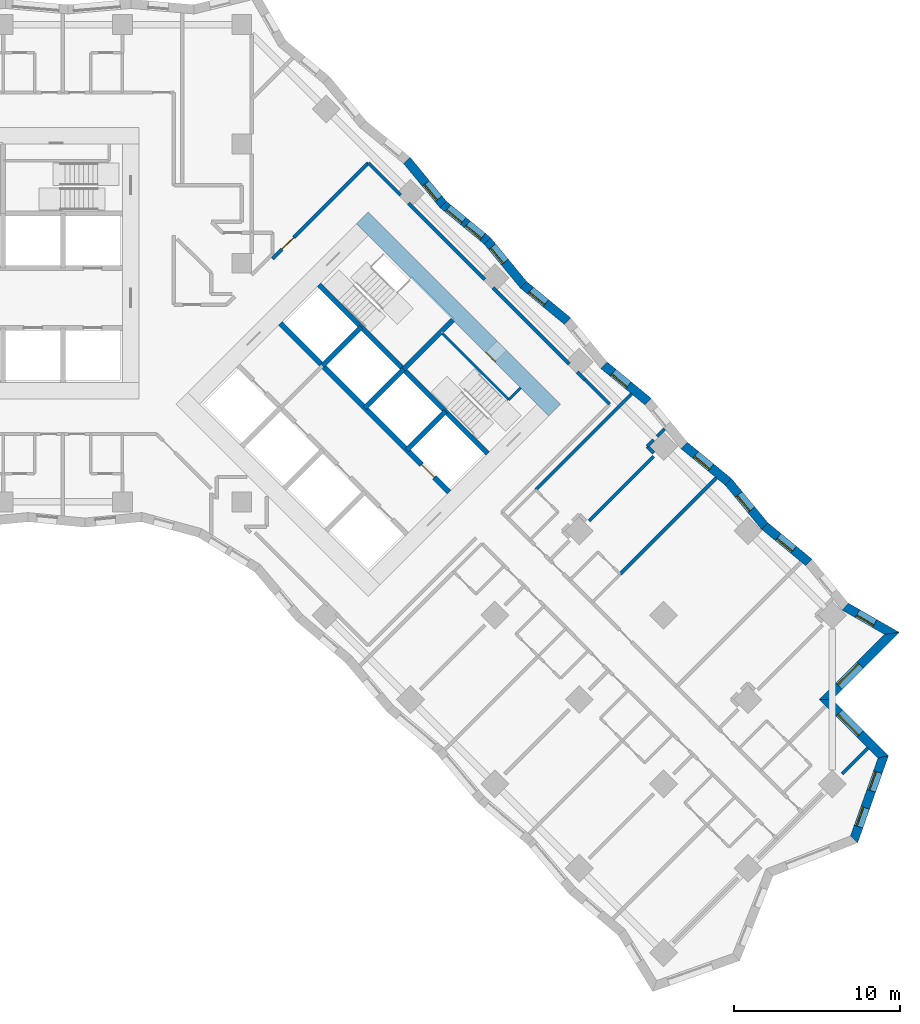
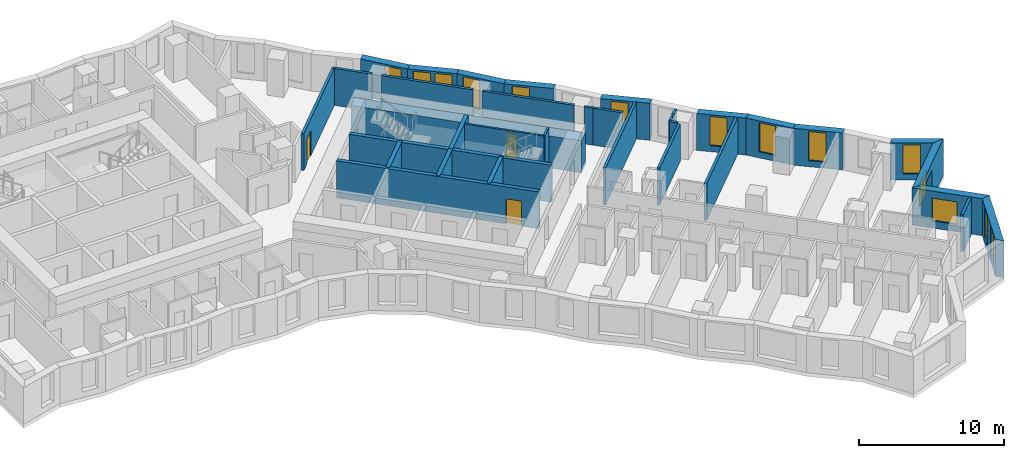
# One storey, part 10 of 13: 35 walls, 14 windows, 3 doors, 17 openings.
"""IFC4 building model written with IfcOpenShell, lengths in metres."""

from ifc_helpers import new_model, si_unit, direction, frame, frame_2d, origin, place, context, subcontext, project, spatial, polyline, rectangle, outline, extrude, material, layer, layer_set, type_object, element, fill, save


model = new_model("IFC4")

# Units and contexts
model_context = context("Model", 3, precision=1e-05, world=origin(), true_north=direction((0.0, 1.0)))
body_context = subcontext(model_context, "Body", "Model", "MODEL_VIEW")
ifc_project = project(units=[si_unit("LENGTHUNIT", "METRE"), si_unit("AREAUNIT", "SQUARE_METRE"), si_unit("VOLUMEUNIT", "CUBIC_METRE"), si_unit("PLANEANGLEUNIT", "RADIAN"), si_unit("MASSUNIT", "GRAM", prefix="KILO")], contexts=[model_context])

# Site, building, storey
site_placement = place(None, origin())
site = spatial("IfcSite", under=ifc_project, at=site_placement, CompositionType="ELEMENT")
building_placement = place(site_placement, origin())
building = spatial("IfcBuilding", under=site, at=building_placement, Name="Windrow Commons", CompositionType="ELEMENT")
storey_placement = place(building_placement, frame((0.0, 0.0, 30.4)))
storey = spatial("IfcBuildingStorey", under=building, at=storey_placement, Name="L07", CompositionType="ELEMENT", Elevation=30.4)

# Wall, openings, windows
ifc_material_1 = material(Name="Brick masonry, red clay brick", Category="masonry")
ifc_layer_1 = layer(ifc_material_1, 0.55)
ifc_layer_set_1 = layer_set([ifc_layer_1], Name="Brick facade wall 550")
wall_type_1 = type_object("IfcWallType", Name="Brick facade wall 550", PredefinedType="SOLIDWALL", material=ifc_layer_set_1)
wall_1_placement = place(storey_placement, frame((116.1535, 22.8312, 0.0), z_axis=(0.0, 0.0, 1.0), x_axis=(0.3338727536, 0.9426181541, 0.0)))
wall_1 = element("IfcWall", 1, at=wall_1_placement, inside=storey, type_object=wall_type_1, Name="Brick facade wall L07 4", PredefinedType="SOLIDWALL", context=body_context, shape_type="SweptSolid", body=[
    extrude(outline(polyline([(-0.1256, -0.275), (5.4498, -0.275), (5.1028, 0.275), (0.1256, 0.275), (-0.1256, -0.275)])), origin(), (0.0, 0.0, 1.0), 3.1),
])
opening_1_placement = place(wall_1_placement, frame((0.8193, 0.0, 0.5)))
opening_1 = element("IfcOpeningElement", 2, at=opening_1_placement, cuts=wall_1, Name="Opening W7D", PredefinedType="OPENING", context=body_context, shape_type="SweptSolid", body=[
    extrude(rectangle(XDim=1.2, YDim=2.45, at=frame_2d((0.6, 1.225))), frame((0.0, 0.285, 0.0), z_axis=(0.0, -1.0, 0.0), x_axis=(1.0, 0.0, 0.0)), (0.0, 0.0, 1.0), 0.57),
])
opening_2_placement = place(wall_1_placement, frame((3.1079, 0.0, 0.5)))
opening_2 = element("IfcOpeningElement", 3, at=opening_2_placement, cuts=wall_1, Name="Opening W7D", PredefinedType="OPENING", context=body_context, shape_type="SweptSolid", body=[
    extrude(rectangle(XDim=1.2, YDim=2.45, at=frame_2d((0.6, 1.225))), frame((0.0, 0.285, 0.0), z_axis=(0.0, -1.0, 0.0), x_axis=(1.0, 0.0, 0.0)), (0.0, 0.0, 1.0), 0.57),
])
ifc_material_2 = material(Name="Clear float glass in anodised aluminium frame", Category="aluminium")
window_type_1 = type_object("IfcWindowType", Name="Window W7 notch 1200x2450", PartitioningType="SINGLE_PANEL", PredefinedType="WINDOW", material=ifc_material_2)
window_1_placement = place(opening_1_placement, origin())
window_1 = element("IfcWindow", 4, at=window_1_placement, inside=storey, type_object=window_type_1, Name="Window L07 4.1", OverallHeight=2.45, OverallWidth=1.2, PartitioningType="SINGLE_PANEL", PredefinedType="WINDOW", context=body_context, shape_type="SweptSolid", body=[
    extrude(rectangle(XDim=1.2, YDim=2.45, at=frame_2d((0.6, 1.225))), frame((0.0, 0.155, 0.0), z_axis=(0.0, -1.0, 0.0), x_axis=(1.0, 0.0, 0.0)), (0.0, 0.0, 1.0), 0.06),
])
fill(opening_1, window_1)
window_2_placement = place(opening_2_placement, origin())
window_2 = element("IfcWindow", 5, at=window_2_placement, inside=storey, type_object=window_type_1, Name="Window L07 4.2", OverallHeight=2.45, OverallWidth=1.2, PartitioningType="SINGLE_PANEL", PredefinedType="WINDOW", context=body_context, shape_type="SweptSolid", body=[
    extrude(rectangle(XDim=1.2, YDim=2.45, at=frame_2d((0.6, 1.225))), frame((0.0, 0.155, 0.0), z_axis=(0.0, -1.0, 0.0), x_axis=(1.0, 0.0, 0.0)), (0.0, 0.0, 1.0), 0.06),
])
fill(opening_2, window_2)

# Wall, opening, window
wall_2_placement = place(storey_placement, frame((117.9151, 27.8047, 0.0), z_axis=(0.0, 0.0, 1.0), x_axis=(-0.7070965801, 0.7071169822, 0.0)))
wall_2 = element("IfcWall", 6, at=wall_2_placement, inside=storey, type_object=wall_type_1, Name="Brick facade wall L07 5", PredefinedType="SOLIDWALL", context=body_context, shape_type="SweptSolid", body=[
    extrude(outline(polyline([(-0.1735, -0.275), (4.6265, -0.275), (5.1764, 0.275), (0.1735, 0.275), (-0.1735, -0.275)])), origin(), (0.0, 0.0, 1.0), 3.1),
])
opening_3_placement = place(wall_2_placement, frame((1.964, 0.0, 0.6)))
opening_3 = element("IfcOpeningElement", 7, at=opening_3_placement, cuts=wall_2, Name="Opening W1L", PredefinedType="OPENING", context=body_context, shape_type="SweptSolid", body=[
    extrude(rectangle(XDim=1.8, YDim=1.9, at=frame_2d((0.9, 0.95))), frame((0.0, 0.285, 0.0), z_axis=(0.0, -1.0, 0.0), x_axis=(1.0, 0.0, 0.0)), (0.0, 0.0, 1.0), 0.57),
])
ifc_material_3 = material(Name="Clear float glass in anodised aluminium frame", Category="aluminium")
window_type_2 = type_object("IfcWindowType", Name="Window W1L bedroom 1800x1900", PartitioningType="SINGLE_PANEL", PredefinedType="WINDOW", material=ifc_material_3)
window_3_placement = place(opening_3_placement, origin())
window_3 = element("IfcWindow", 8, at=window_3_placement, inside=storey, type_object=window_type_2, Name="Window L07 5.1", OverallHeight=1.9, OverallWidth=1.8, PartitioningType="SINGLE_PANEL", PredefinedType="WINDOW", context=body_context, shape_type="SweptSolid", body=[
    extrude(rectangle(XDim=1.8, YDim=1.9, at=frame_2d((0.9, 0.95))), frame((0.0, 0.155, 0.0), z_axis=(0.0, -1.0, 0.0), x_axis=(1.0, 0.0, 0.0)), (0.0, 0.0, 1.0), 0.06),
])
fill(opening_3, window_3)

wall_3_placement = place(storey_placement, frame((114.4493, 31.2706, 0.0), z_axis=(0.0, 0.0, 1.0), x_axis=(0.7070979247, 0.7071156376, 0.0)))
wall_3 = element("IfcWall", 9, at=wall_3_placement, inside=storey, type_object=wall_type_1, Name="Brick facade wall L07 6", PredefinedType="SOLIDWALL", context=body_context, shape_type="SweptSolid", body=[
    extrude(outline(polyline([(0.275, -0.275), (6.005, -0.275), (5.2861, 0.275), (-0.275, 0.275), (0.275, -0.275)])), origin(), (0.0, 0.0, 1.0), 3.1),
])
opening_4_placement = place(wall_3_placement, frame((1.1375, 0.0, 0.6)))
opening_4 = element("IfcOpeningElement", 10, at=opening_4_placement, cuts=wall_3, Name="Opening W1L", PredefinedType="OPENING", context=body_context, shape_type="SweptSolid", body=[
    extrude(rectangle(XDim=1.8, YDim=1.9, at=frame_2d((0.9, 0.95))), frame((0.0, 0.285, 0.0), z_axis=(0.0, -1.0, 0.0), x_axis=(1.0, 0.0, 0.0)), (0.0, 0.0, 1.0), 0.57),
])
window_4_placement = place(opening_4_placement, origin())
window_4 = element("IfcWindow", 11, at=window_4_placement, inside=storey, type_object=window_type_2, Name="Window L07 6.1", OverallHeight=1.9, OverallWidth=1.8, PartitioningType="SINGLE_PANEL", PredefinedType="WINDOW", context=body_context, shape_type="SweptSolid", body=[
    extrude(rectangle(XDim=1.8, YDim=1.9, at=frame_2d((0.9, 0.95))), frame((0.0, 0.155, 0.0), z_axis=(0.0, -1.0, 0.0), x_axis=(1.0, 0.0, 0.0)), (0.0, 0.0, 1.0), 0.06),
])
fill(opening_4, window_4)

wall_4_placement = place(storey_placement, frame((118.4413, 35.2627, 0.0), z_axis=(0.0, 0.0, 1.0), x_axis=(-0.8675063131, 0.4974261721, 0.0)))
wall_4 = element("IfcWall", 12, at=wall_4_placement, inside=storey, type_object=wall_type_1, Name="Brick facade wall L07 7", PredefinedType="SOLIDWALL", context=body_context, shape_type="SweptSolid", body=[
    extrude(outline(polyline([(-0.3595, -0.275), (3.1945, -0.275), (3.2948, 0.275), (0.3595, 0.275), (-0.3595, -0.275)])), origin(), (0.0, 0.0, 1.0), 3.1),
])
opening_5_placement = place(wall_4_placement, frame((1.2021, 0.0, 0.5)))
opening_5 = element("IfcOpeningElement", 13, at=opening_5_placement, cuts=wall_4, Name="Opening W7D", PredefinedType="OPENING", context=body_context, shape_type="SweptSolid", body=[
    extrude(rectangle(XDim=1.2, YDim=2.45, at=frame_2d((0.6, 1.225))), frame((0.0, 0.285, 0.0), z_axis=(0.0, -1.0, 0.0), x_axis=(1.0, 0.0, 0.0)), (0.0, 0.0, 1.0), 0.57),
])
window_5_placement = place(opening_5_placement, origin())
window_5 = element("IfcWindow", 14, at=window_5_placement, inside=storey, type_object=window_type_1, Name="Window L07 7.1", OverallHeight=2.45, OverallWidth=1.2, PartitioningType="SINGLE_PANEL", PredefinedType="WINDOW", context=body_context, shape_type="SweptSolid", body=[
    extrude(rectangle(XDim=1.2, YDim=2.45, at=frame_2d((0.6, 1.225))), frame((0.0, 0.155, 0.0), z_axis=(0.0, -1.0, 0.0), x_axis=(1.0, 0.0, 0.0)), (0.0, 0.0, 1.0), 0.06),
])
fill(opening_5, window_5)

wall_5_placement = place(storey_placement, frame((113.4193, 39.5538, 0.0), z_axis=(0.0, 0.0, 1.0), x_axis=(-0.7715741005, 0.636139456, 0.0)))
wall_5 = element("IfcWall", 15, at=wall_5_placement, inside=storey, type_object=wall_type_1, Name="Brick facade wall L07 9", PredefinedType="SOLIDWALL", context=body_context, shape_type="SweptSolid", body=[
    extrude(outline(polyline([(-0.0265, -0.275), (3.4195, -0.275), (3.4724, 0.275), (0.0265, 0.275), (-0.0265, -0.275)])), origin(), (0.0, 0.0, 1.0), 3.1),
])
opening_6_placement = place(wall_5_placement, frame((1.1936, 0.0, 0.5)))
opening_6 = element("IfcOpeningElement", 16, at=opening_6_placement, cuts=wall_5, Name="Opening W7D", PredefinedType="OPENING", context=body_context, shape_type="SweptSolid", body=[
    extrude(rectangle(XDim=1.2, YDim=2.45, at=frame_2d((0.6, 1.225))), frame((0.0, 0.285, 0.0), z_axis=(0.0, -1.0, 0.0), x_axis=(1.0, 0.0, 0.0)), (0.0, 0.0, 1.0), 0.57),
])
window_6_placement = place(opening_6_placement, origin())
window_6 = element("IfcWindow", 17, at=window_6_placement, inside=storey, type_object=window_type_1, Name="Window L07 9.1", OverallHeight=2.45, OverallWidth=1.2, PartitioningType="SINGLE_PANEL", PredefinedType="WINDOW", context=body_context, shape_type="SweptSolid", body=[
    extrude(rectangle(XDim=1.2, YDim=2.45, at=frame_2d((0.6, 1.225))), frame((0.0, 0.155, 0.0), z_axis=(0.0, -1.0, 0.0), x_axis=(1.0, 0.0, 0.0)), (0.0, 0.0, 1.0), 0.06),
])
fill(opening_6, window_6)

wall_6_placement = place(storey_placement, frame((110.7605, 41.7459, 0.0), z_axis=(0.0, 0.0, 1.0), x_axis=(-0.636139456, 0.7715741005, 0.0)))
wall_6 = element("IfcWall", 18, at=wall_6_placement, inside=storey, type_object=wall_type_1, Name="Brick facade wall L07 10", PredefinedType="SOLIDWALL", context=body_context, shape_type="SweptSolid", body=[
    extrude(outline(polyline([(0.0265, -0.275), (3.4724, -0.275), (3.4195, 0.275), (-0.0265, 0.275), (0.0265, -0.275)])), origin(), (0.0, 0.0, 1.0), 3.1),
])
opening_7_placement = place(wall_6_placement, frame((1.2657, 0.0, 0.5)))
opening_7 = element("IfcOpeningElement", 19, at=opening_7_placement, cuts=wall_6, Name="Opening W7D", PredefinedType="OPENING", context=body_context, shape_type="SweptSolid", body=[
    extrude(rectangle(XDim=1.2, YDim=2.45, at=frame_2d((0.6, 1.225))), frame((0.0, 0.285, 0.0), z_axis=(0.0, -1.0, 0.0), x_axis=(1.0, 0.0, 0.0)), (0.0, 0.0, 1.0), 0.57),
])
window_7_placement = place(opening_7_placement, origin())
window_7 = element("IfcWindow", 20, at=window_7_placement, inside=storey, type_object=window_type_1, Name="Window L07 10.1", OverallHeight=2.45, OverallWidth=1.2, PartitioningType="SINGLE_PANEL", PredefinedType="WINDOW", context=body_context, shape_type="SweptSolid", body=[
    extrude(rectangle(XDim=1.2, YDim=2.45, at=frame_2d((0.6, 1.225))), frame((0.0, 0.155, 0.0), z_axis=(0.0, -1.0, 0.0), x_axis=(1.0, 0.0, 0.0)), (0.0, 0.0, 1.0), 0.06),
])
fill(opening_7, window_7)

wall_7_placement = place(storey_placement, frame((108.5684, 44.4047, 0.0), z_axis=(0.0, 0.0, 1.0), x_axis=(-0.7715741005, 0.636139456, 0.0)))
wall_7 = element("IfcWall", 21, at=wall_7_placement, inside=storey, type_object=wall_type_1, Name="Brick facade wall L07 11", PredefinedType="SOLIDWALL", context=body_context, shape_type="SweptSolid", body=[
    extrude(outline(polyline([(-0.0265, -0.275), (3.4195, -0.275), (3.4724, 0.275), (0.0265, 0.275), (-0.0265, -0.275)])), origin(), (0.0, 0.0, 1.0), 3.1),
])
opening_8_placement = place(wall_7_placement, frame((1.3643, 0.0, 0.5)))
opening_8 = element("IfcOpeningElement", 22, at=opening_8_placement, cuts=wall_7, Name="Opening W7D", PredefinedType="OPENING", context=body_context, shape_type="SweptSolid", body=[
    extrude(rectangle(XDim=1.2, YDim=2.45, at=frame_2d((0.6, 1.225))), frame((0.0, 0.285, 0.0), z_axis=(0.0, -1.0, 0.0), x_axis=(1.0, 0.0, 0.0)), (0.0, 0.0, 1.0), 0.57),
])
window_8_placement = place(opening_8_placement, origin())
window_8 = element("IfcWindow", 23, at=window_8_placement, inside=storey, type_object=window_type_1, Name="Window L07 11.1", OverallHeight=2.45, OverallWidth=1.2, PartitioningType="SINGLE_PANEL", PredefinedType="WINDOW", context=body_context, shape_type="SweptSolid", body=[
    extrude(rectangle(XDim=1.2, YDim=2.45, at=frame_2d((0.6, 1.225))), frame((0.0, 0.155, 0.0), z_axis=(0.0, -1.0, 0.0), x_axis=(1.0, 0.0, 0.0)), (0.0, 0.0, 1.0), 0.06),
])
fill(opening_8, window_8)

wall_8_placement = place(storey_placement, frame((103.7174, 49.2556, 0.0), z_axis=(0.0, 0.0, 1.0), x_axis=(-0.7715598569, 0.6361567317, 0.0)))
wall_8 = element("IfcWall", 24, at=wall_8_placement, inside=storey, type_object=wall_type_1, Name="Brick facade wall L07 13", PredefinedType="SOLIDWALL", context=body_context, shape_type="SweptSolid", body=[
    extrude(outline(polyline([(-0.0265, -0.275), (3.4195, -0.275), (3.4724, 0.275), (0.0265, 0.275), (-0.0265, -0.275)])), origin(), (0.0, 0.0, 1.0), 3.1),
])
opening_9_placement = place(wall_8_placement, frame((1.5349, 0.0, 0.5)))
opening_9 = element("IfcOpeningElement", 25, at=opening_9_placement, cuts=wall_8, Name="Opening W7D", PredefinedType="OPENING", context=body_context, shape_type="SweptSolid", body=[
    extrude(rectangle(XDim=1.2, YDim=2.45, at=frame_2d((0.6, 1.225))), frame((0.0, 0.285, 0.0), z_axis=(0.0, -1.0, 0.0), x_axis=(1.0, 0.0, 0.0)), (0.0, 0.0, 1.0), 0.57),
])
window_9_placement = place(opening_9_placement, origin())
window_9 = element("IfcWindow", 26, at=window_9_placement, inside=storey, type_object=window_type_1, Name="Window L07 13.1", OverallHeight=2.45, OverallWidth=1.2, PartitioningType="SINGLE_PANEL", PredefinedType="WINDOW", context=body_context, shape_type="SweptSolid", body=[
    extrude(rectangle(XDim=1.2, YDim=2.45, at=frame_2d((0.6, 1.225))), frame((0.0, 0.155, 0.0), z_axis=(0.0, -1.0, 0.0), x_axis=(1.0, 0.0, 0.0)), (0.0, 0.0, 1.0), 0.06),
])
fill(opening_9, window_9)

wall_9_placement = place(storey_placement, frame((98.8665, 54.1066, 0.0), z_axis=(0.0, 0.0, 1.0), x_axis=(-0.7715741005, 0.636139456, 0.0)))
wall_9 = element("IfcWall", 27, at=wall_9_placement, inside=storey, type_object=wall_type_1, Name="Brick facade wall L07 15", PredefinedType="SOLIDWALL", context=body_context, shape_type="SweptSolid", body=[
    extrude(outline(polyline([(-0.0265, -0.275), (3.4195, -0.275), (3.4724, 0.275), (0.0265, 0.275), (-0.0265, -0.275)])), origin(), (0.0, 0.0, 1.0), 3.1),
])
opening_10_placement = place(wall_9_placement, frame((1.7056, 0.0, 0.5)))
opening_10 = element("IfcOpeningElement", 28, at=opening_10_placement, cuts=wall_9, Name="Opening W7D", PredefinedType="OPENING", context=body_context, shape_type="SweptSolid", body=[
    extrude(rectangle(XDim=1.2, YDim=2.45, at=frame_2d((0.6, 1.225))), frame((0.0, 0.285, 0.0), z_axis=(0.0, -1.0, 0.0), x_axis=(1.0, 0.0, 0.0)), (0.0, 0.0, 1.0), 0.57),
])
window_10_placement = place(opening_10_placement, origin())
window_10 = element("IfcWindow", 29, at=window_10_placement, inside=storey, type_object=window_type_1, Name="Window L07 15.1", OverallHeight=2.45, OverallWidth=1.2, PartitioningType="SINGLE_PANEL", PredefinedType="WINDOW", context=body_context, shape_type="SweptSolid", body=[
    extrude(rectangle(XDim=1.2, YDim=2.45, at=frame_2d((0.6, 1.225))), frame((0.0, 0.155, 0.0), z_axis=(0.0, -1.0, 0.0), x_axis=(1.0, 0.0, 0.0)), (0.0, 0.0, 1.0), 0.06),
])
fill(opening_10, window_10)

wall_10_placement = place(storey_placement, frame((96.2077, 56.2987, 0.0), z_axis=(0.0, 0.0, 1.0), x_axis=(-0.6361567317, 0.7715598569, 0.0)))
wall_10 = element("IfcWall", 30, at=wall_10_placement, inside=storey, type_object=wall_type_1, Name="Brick facade wall L07 16", PredefinedType="SOLIDWALL", context=body_context, shape_type="SweptSolid", body=[
    extrude(outline(polyline([(0.0265, -0.275), (3.4724, -0.275), (3.4195, 0.275), (-0.0265, 0.275), (0.0265, -0.275)])), origin(), (0.0, 0.0, 1.0), 3.1),
])
opening_11_placement = place(wall_10_placement, frame((1.7776, 0.0, 0.5)))
opening_11 = element("IfcOpeningElement", 31, at=opening_11_placement, cuts=wall_10, Name="Opening W7D", PredefinedType="OPENING", context=body_context, shape_type="SweptSolid", body=[
    extrude(rectangle(XDim=1.2, YDim=2.45, at=frame_2d((0.6, 1.225))), frame((0.0, 0.285, 0.0), z_axis=(0.0, -1.0, 0.0), x_axis=(1.0, 0.0, 0.0)), (0.0, 0.0, 1.0), 0.57),
])
window_11_placement = place(opening_11_placement, origin())
window_11 = element("IfcWindow", 32, at=window_11_placement, inside=storey, type_object=window_type_1, Name="Window L07 16.1", OverallHeight=2.45, OverallWidth=1.2, PartitioningType="SINGLE_PANEL", PredefinedType="WINDOW", context=body_context, shape_type="SweptSolid", body=[
    extrude(rectangle(XDim=1.2, YDim=2.45, at=frame_2d((0.6, 1.225))), frame((0.0, 0.155, 0.0), z_axis=(0.0, -1.0, 0.0), x_axis=(1.0, 0.0, 0.0)), (0.0, 0.0, 1.0), 0.06),
])
fill(opening_11, window_11)

# Wall, openings, windows
wall_11_placement = place(storey_placement, frame((94.0155, 58.9575, 0.0), z_axis=(0.0, 0.0, 1.0), x_axis=(-0.7715598569, 0.6361567317, 0.0)))
wall_11 = element("IfcWall", 33, at=wall_11_placement, inside=storey, type_object=wall_type_1, Name="Brick facade wall L07 17", PredefinedType="SOLIDWALL", context=body_context, shape_type="SweptSolid", body=[
    extrude(outline(polyline([(-0.0265, -0.275), (3.4195, -0.275), (3.4724, 0.275), (0.0265, 0.275), (-0.0265, -0.275)])), origin(), (0.0, 0.0, 1.0), 3.1),
])
opening_12_placement = place(wall_11_placement, frame((0.3664, 0.0, 0.5)))
opening_12 = element("IfcOpeningElement", 34, at=opening_12_placement, cuts=wall_11, Name="Opening W7D", PredefinedType="OPENING", context=body_context, shape_type="SweptSolid", body=[
    extrude(rectangle(XDim=1.2, YDim=2.45, at=frame_2d((0.6, 1.225))), frame((0.0, 0.285, 0.0), z_axis=(0.0, -1.0, 0.0), x_axis=(1.0, 0.0, 0.0)), (0.0, 0.0, 1.0), 0.57),
])
opening_13_placement = place(wall_11_placement, frame((1.8762, 0.0, 0.5)))
opening_13 = element("IfcOpeningElement", 35, at=opening_13_placement, cuts=wall_11, Name="Opening W7D", PredefinedType="OPENING", context=body_context, shape_type="SweptSolid", body=[
    extrude(rectangle(XDim=1.2, YDim=2.45, at=frame_2d((0.6, 1.225))), frame((0.0, 0.285, 0.0), z_axis=(0.0, -1.0, 0.0), x_axis=(1.0, 0.0, 0.0)), (0.0, 0.0, 1.0), 0.57),
])
window_12_placement = place(opening_12_placement, origin())
window_12 = element("IfcWindow", 36, at=window_12_placement, inside=storey, type_object=window_type_1, Name="Window L07 17.1", OverallHeight=2.45, OverallWidth=1.2, PartitioningType="SINGLE_PANEL", PredefinedType="WINDOW", context=body_context, shape_type="SweptSolid", body=[
    extrude(rectangle(XDim=1.2, YDim=2.45, at=frame_2d((0.6, 1.225))), frame((0.0, 0.155, 0.0), z_axis=(0.0, -1.0, 0.0), x_axis=(1.0, 0.0, 0.0)), (0.0, 0.0, 1.0), 0.06),
])
fill(opening_12, window_12)
window_13_placement = place(opening_13_placement, origin())
window_13 = element("IfcWindow", 37, at=window_13_placement, inside=storey, type_object=window_type_1, Name="Window L07 17.2", OverallHeight=2.45, OverallWidth=1.2, PartitioningType="SINGLE_PANEL", PredefinedType="WINDOW", context=body_context, shape_type="SweptSolid", body=[
    extrude(rectangle(XDim=1.2, YDim=2.45, at=frame_2d((0.6, 1.225))), frame((0.0, 0.155, 0.0), z_axis=(0.0, -1.0, 0.0), x_axis=(1.0, 0.0, 0.0)), (0.0, 0.0, 1.0), 0.06),
])
fill(opening_13, window_13)

# Wall, opening, window
wall_12_placement = place(storey_placement, frame((91.3567, 61.1497, 0.0), z_axis=(0.0, 0.0, 1.0), x_axis=(-0.636139456, 0.7715741005, 0.0)))
wall_12 = element("IfcWall", 38, at=wall_12_placement, inside=storey, type_object=wall_type_1, Name="Brick facade wall L07 18", PredefinedType="SOLIDWALL", context=body_context, shape_type="SweptSolid", body=[
    extrude(outline(polyline([(0.0265, -0.275), (3.4724, -0.275), (3.4195, 0.275), (-0.0265, 0.275), (0.0265, -0.275)])), origin(), (0.0, 0.0, 1.0), 3.1),
])
opening_14_placement = place(wall_12_placement, frame((0.4385, 0.0, 0.5)))
opening_14 = element("IfcOpeningElement", 39, at=opening_14_placement, cuts=wall_12, Name="Opening W7D", PredefinedType="OPENING", context=body_context, shape_type="SweptSolid", body=[
    extrude(rectangle(XDim=1.2, YDim=2.45, at=frame_2d((0.6, 1.225))), frame((0.0, 0.285, 0.0), z_axis=(0.0, -1.0, 0.0), x_axis=(1.0, 0.0, 0.0)), (0.0, 0.0, 1.0), 0.57),
])
window_14_placement = place(opening_14_placement, origin())
window_14 = element("IfcWindow", 40, at=window_14_placement, inside=storey, type_object=window_type_1, Name="Window L07 18.1", OverallHeight=2.45, OverallWidth=1.2, PartitioningType="SINGLE_PANEL", PredefinedType="WINDOW", context=body_context, shape_type="SweptSolid", body=[
    extrude(rectangle(XDim=1.2, YDim=2.45, at=frame_2d((0.6, 1.225))), frame((0.0, 0.155, 0.0), z_axis=(0.0, -1.0, 0.0), x_axis=(1.0, 0.0, 0.0)), (0.0, 0.0, 1.0), 0.06),
])
fill(opening_14, window_14)

# Wall, opening, door
ifc_material_4 = material(Name="Blockwork partition", Category="masonry")
ifc_layer_2 = layer(ifc_material_4, 0.2)
ifc_layer_set_2 = layer_set([ifc_layer_2], Name="IW-CORRIDOR-200")
wall_type_2 = type_object("IfcWallType", Name="IW-CORRIDOR-200", PredefinedType="PARTITIONING", material=ifc_layer_set_2)
wall_13_placement = place(storey_placement, frame((81.0515, 57.8725, 0.0), z_axis=(0.0, 0.0, 1.0), x_axis=(0.7071067812, 0.7071067812, 0.0)))
wall_13 = element("IfcWall", 41, at=wall_13_placement, inside=storey, type_object=wall_type_2, Name="W-L07-W012", PredefinedType="PARTITIONING", context=body_context, shape_type="SweptSolid", body=[
    extrude(rectangle(XDim=8.1798, YDim=0.2, at=frame_2d((4.0899, 0.0))), origin(), (0.0, 0.0, 1.0), 3.1),
])
opening_15_placement = place(wall_13_placement, frame((0.8234, 0.0, 0.0)))
opening_15 = element("IfcOpeningElement", 42, at=opening_15_placement, cuts=wall_13, Name="Opening D310F", PredefinedType="OPENING", context=body_context, shape_type="SweptSolid", body=[
    extrude(rectangle(XDim=1.0, YDim=2.1, at=frame_2d((0.5, 1.05))), frame((0.0, 0.11, 0.0), z_axis=(0.0, -1.0, 0.0), x_axis=(1.0, 0.0, 0.0)), (0.0, 0.0, 1.0), 0.22),
])
ifc_material_5 = material(Name="Timber door leaf", Category="wood")
door_type_1 = type_object("IfcDoorType", Name="DT-AMENITY-1000", OperationType="SINGLE_SWING_LEFT", PredefinedType="DOOR", material=ifc_material_5)
door_1_placement = place(opening_15_placement, origin())
door_1 = element("IfcDoor", 43, at=door_1_placement, inside=storey, type_object=door_type_1, Name="D-L07-D049", OperationType="SINGLE_SWING_RIGHT", OverallHeight=2.1, OverallWidth=1.0, PredefinedType="DOOR", context=body_context, shape_type="SweptSolid", body=[
    extrude(rectangle(XDim=1.0, YDim=2.1, at=frame_2d((0.5, 1.05))), frame((0.0, 0.025, 0.0), z_axis=(0.0, -1.0, 0.0), x_axis=(1.0, 0.0, 0.0)), (0.0, 0.0, 1.0), 0.05),
])
fill(opening_15, door_1)

# Walls
wall_14_placement = place(storey_placement, frame((89.2712, 61.2152, 0.0), z_axis=(0.0, 0.0, 1.0), x_axis=(0.7071067812, -0.7071067812, 0.0)))
element("IfcWall", 44, at=wall_14_placement, inside=storey, type_object=wall_type_2, Name="W-L07-W025", PredefinedType="PARTITIONING", context=body_context, shape_type="SweptSolid", body=[
    extrude(rectangle(XDim=6.5054, YDim=0.2, at=frame_2d((3.2527, 0.0))), origin(), (0.0, 0.0, 1.0), 3.1),
])
wall_15_placement = place(storey_placement, frame((94.3632, 56.1232, 0.0), z_axis=(0.0, 0.0, 1.0), x_axis=(0.7071067812, -0.7071067812, 0.0)))
element("IfcWall", 45, at=wall_15_placement, inside=storey, type_object=wall_type_2, Name="W-L07-W026", PredefinedType="PARTITIONING", context=body_context, shape_type="SweptSolid", body=[
    extrude(rectangle(XDim=6.5026, YDim=0.2, at=frame_2d((3.2513, 0.0))), origin(), (0.0, 0.0, 1.0), 3.1),
])
wall_16_placement = place(storey_placement, frame((86.8413, 63.6593, 0.0), z_axis=(0.0, 0.0, 1.0), x_axis=(0.7067795096, -0.7074339014, 0.0)))
element("IfcWall", 46, at=wall_16_placement, inside=storey, type_object=wall_type_2, Name="W-L07-W072", PredefinedType="PARTITIONING", context=body_context, shape_type="SweptSolid", body=[
    extrude(rectangle(XDim=2.7506, YDim=0.2, at=frame_2d((1.3753, 0.0))), origin(), (0.0, 0.0, 1.0), 3.1),
])
wall_17_placement = place(storey_placement, frame((99.9177, 50.5737, 0.0), z_axis=(0.0, 0.0, 1.0), x_axis=(0.7075827869, -0.7066304548, 0.0)))
element("IfcWall", 47, at=wall_17_placement, inside=storey, type_object=wall_type_2, Name="W-L07-W132", PredefinedType="PARTITIONING", context=body_context, shape_type="SweptSolid", body=[
    extrude(rectangle(XDim=2.1001, YDim=0.2, at=frame_2d((1.05, 0.0))), origin(), (0.0, 0.0, 1.0), 3.1),
])
wall_18_placement = place(storey_placement, frame((99.4532, 51.0332, 0.0), z_axis=(0.0, 0.0, 1.0), x_axis=(0.7071067812, -0.7071067812, 0.0)))
element("IfcWall", 48, at=wall_18_placement, inside=storey, type_object=wall_type_2, Name="W-L07-W194", PredefinedType="PARTITIONING", context=body_context, shape_type="SweptSolid", body=[
    extrude(rectangle(XDim=0.6534, YDim=0.2, at=frame_2d((0.3267, 0.0))), origin(), (0.0, 0.0, 1.0), 3.1),
])
ifc_material_6 = material(Name="Blockwork partition", Category="masonry")
ifc_layer_3 = layer(ifc_material_6, 0.2)
ifc_layer_set_3 = layer_set([ifc_layer_3], Name="IW-PARTY-200")
wall_type_3 = type_object("IfcWallType", Name="IW-PARTY-200", PredefinedType="PARTITIONING", material=ifc_layer_set_3)
wall_19_placement = place(storey_placement, frame((102.0386, 38.8374, 0.0), z_axis=(0.0, 0.0, 1.0), x_axis=(0.7071067812, 0.7071067812, 0.0)))
element("IfcWall", 49, at=wall_19_placement, inside=storey, type_object=wall_type_3, Name="W-L07-W013", PredefinedType="PARTITIONING", context=body_context, shape_type="SweptSolid", body=[
    extrude(rectangle(XDim=8.2122, YDim=0.2, at=frame_2d((4.1061, 0.0))), origin(), (0.0, 0.0, 1.0), 3.1),
])
wall_20_placement = place(storey_placement, frame((96.9474, 43.9286, 0.0), z_axis=(0.0, 0.0, 1.0), x_axis=(0.707112894, 0.7071006683, 0.0)))
element("IfcWall", 50, at=wall_20_placement, inside=storey, type_object=wall_type_3, Name="W-L07-W014", PredefinedType="PARTITIONING", context=body_context, shape_type="SweptSolid", body=[
    extrude(rectangle(XDim=8.1795, YDim=0.2, at=frame_2d((4.0898, 0.0))), origin(), (0.0, 0.0, 1.0), 3.1),
])
wall_21_placement = place(storey_placement, frame((100.1611, 42.0569, 0.0), z_axis=(0.0, 0.0, 1.0), x_axis=(0.7072884866, 0.706925029, 0.0)))
element("IfcWall", 51, at=wall_21_placement, inside=storey, type_object=wall_type_3, Name="W-L07-W045", PredefinedType="PARTITIONING", context=body_context, shape_type="SweptSolid", body=[
    extrude(rectangle(XDim=5.5027, YDim=0.2, at=frame_2d((2.7513, 0.0))), origin(), (0.0, 0.0, 1.0), 3.1),
])
wall_22_placement = place(storey_placement, frame((115.4375, 26.7805, 0.0), z_axis=(0.0, 0.0, 1.0), x_axis=(0.7071067812, 0.7071067812, 0.0)))
element("IfcWall", 52, at=wall_22_placement, inside=storey, type_object=wall_type_3, Name="W-L07-W131", PredefinedType="PARTITIONING", context=body_context, shape_type="SweptSolid", body=[
    extrude(rectangle(XDim=2.2012, YDim=0.2, at=frame_2d((1.1006, 0.0))), origin(), (0.0, 0.0, 1.0), 3.1),
])
wall_23_placement = place(storey_placement, frame((104.265, 47.145, 0.0), z_axis=(0.0, 0.0, 1.0), x_axis=(0.7071839131, 0.7070296409, 0.0)))
element("IfcWall", 53, at=wall_23_placement, inside=storey, type_object=wall_type_3, Name="W-L07-W195", PredefinedType="PARTITIONING", context=body_context, shape_type="SweptSolid", body=[
    extrude(rectangle(XDim=0.6482, YDim=0.2, at=frame_2d((0.3241, 0.0))), origin(), (0.0, 0.0, 1.0), 3.1),
])
wall_24_placement = place(storey_placement, frame((103.661, 46.541, 0.0), z_axis=(0.0, 0.0, 1.0), x_axis=(0.7071067812, 0.7071067812, 0.0)))
element("IfcWall", 54, at=wall_24_placement, inside=storey, type_object=wall_type_3, Name="W-L07-W201", PredefinedType="PARTITIONING", context=body_context, shape_type="SweptSolid", body=[
    extrude(rectangle(XDim=0.5572, YDim=0.2, at=frame_2d((0.2786, 0.0))), origin(), (0.0, 0.0, 1.0), 3.1),
])
wall_25_placement = place(storey_placement, frame((103.665, 46.543, 0.0), z_axis=(0.0, 0.0, 1.0), x_axis=(0.7089037401, -0.705305244, 0.0)))
element("IfcWall", 55, at=wall_25_placement, inside=storey, type_object=wall_type_3, Name="W-L07-W204", PredefinedType="PARTITIONING", context=body_context, shape_type="SweptSolid", body=[
    extrude(rectangle(XDim=0.5558, YDim=0.2, at=frame_2d((0.2779, 0.0))), origin(), (0.0, 0.0, 1.0), 3.1),
])

# Wall, opening, door
ifc_material_7 = material(Name="Concrete C60/75", Category="concrete")
ifc_layer_4 = layer(ifc_material_7, 1.0)
ifc_layer_set_4 = layer_set([ifc_layer_4], Name="RC CORE WALL 1000 C60/75")
wall_type_4 = type_object("IfcWallType", Name="RC CORE WALL 1000 C60/75", PredefinedType="SHEAR", material=ifc_layer_set_4)
wall_26_placement = place(storey_placement, frame((86.4832, 60.3327, -0.3), z_axis=(0.0, 0.0, 1.0), x_axis=(0.70710983, -0.7071037324, 0.0)))
wall_26 = element("IfcWall", 56, at=wall_26_placement, inside=storey, type_object=wall_type_4, Name="Core B wall outer-N", PredefinedType="SHEAR", context=body_context, shape_type="SweptSolid", body=[
    extrude(rectangle(XDim=16.4, YDim=1.0, at=frame_2d((8.2, 0.0))), origin(), (0.0, 0.0, 1.0), 2.7),
])
opening_16_placement = place(wall_26_placement, frame((11.0, 0.0, 0.3)))
opening_16 = element("IfcOpeningElement", 57, at=opening_16_placement, cuts=wall_26, Name="Opening D9", PredefinedType="OPENING", context=body_context, shape_type="SweptSolid", body=[
    extrude(rectangle(XDim=0.8, YDim=2.1, at=frame_2d((0.4, 1.05))), frame((0.0, 0.51, 0.0), z_axis=(0.0, -1.0, 0.0), x_axis=(1.0, 0.0, 0.0)), (0.0, 0.0, 1.0), 1.02),
])
ifc_material_8 = material(Name="Steel fire door leaf", Category="steel")
door_type_2 = type_object("IfcDoorType", Name="Riser access door 800", OperationType="SINGLE_SWING_LEFT", PredefinedType="DOOR", material=ifc_material_8)
door_2_placement = place(opening_16_placement, origin())
door_2 = element("IfcDoor", 58, at=door_2_placement, inside=storey, type_object=door_type_2, Name="Riser access door", OperationType="SINGLE_SWING_RIGHT", OverallHeight=2.1, OverallWidth=0.8, PredefinedType="DOOR", context=body_context, shape_type="SweptSolid", body=[
    extrude(rectangle(XDim=0.8, YDim=2.1, at=frame_2d((0.4, 1.05))), frame((0.0, -0.44, 0.0), z_axis=(0.0, -1.0, 0.0), x_axis=(1.0, 0.0, 0.0)), (0.0, 0.0, 1.0), 0.05),
])
fill(opening_16, door_2)

# Walls
ifc_material_9 = material(Name="Concrete C60/75", Category="concrete")
ifc_layer_5 = layer(ifc_material_9, 0.3)
ifc_layer_set_5 = layer_set([ifc_layer_5], Name="RC SHAFT WALL 300 C60/75")
wall_type_5 = type_object("IfcWallType", Name="RC SHAFT WALL 300 C60/75", PredefinedType="SOLIDWALL", material=ifc_layer_set_5)
wall_27_placement = place(storey_placement, frame((84.079, 51.4232, 0.0), z_axis=(0.0, 0.0, 1.0), x_axis=(0.7071219326, 0.7070916295, 0.0)))
element("IfcWall", 59, at=wall_27_placement, inside=storey, type_object=wall_type_5, Name="Core B wall shaft-N1", PredefinedType="SOLIDWALL", context=body_context, shape_type="SweptSolid", body=[
    extrude(rectangle(XDim=3.3, YDim=0.3, at=frame_2d((1.65, 0.0))), origin(), (0.0, 0.0, 1.0), 3.1),
])
for number, where, z_axis, x_axis, name in (
    (60, (86.6246, 48.8776, 0.0), (0.0, 0.0, 1.0), (0.7071067812, 0.7071067812, 0.0), "Core B wall shaft-N2"),
    (61, (89.1702, 46.332, 0.0), (0.0, 0.0, 1.0), (0.7071067812, 0.7071067812, 0.0), "Core B wall shaft-N3"),
):
    element("IfcWall", number, at=place(storey_placement, frame(where, z_axis=z_axis, x_axis=x_axis)), inside=storey, type_object=wall_type_5, Name=name, PredefinedType="SOLIDWALL", context=body_context, shape_type="SweptSolid", body=[
        extrude(rectangle(XDim=3.3001, YDim=0.3, at=frame_2d((1.6501, 0.0))), origin(), (0.0, 0.0, 1.0), 3.1),
    ])

# Wall, opening, door
wall_28_placement = place(storey_placement, frame((81.5335, 53.9688, 0.0), z_axis=(0.0, 0.0, 1.0), x_axis=(0.707103309, -0.7071102534, 0.0)))
wall_28 = element("IfcWall", 62, at=wall_28_placement, inside=storey, type_object=wall_type_5, Name="Core B wall lobby-N", PredefinedType="SOLIDWALL", context=body_context, shape_type="SweptSolid", body=[
    extrude(rectangle(XDim=14.4, YDim=0.3, at=frame_2d((7.2, 0.0))), origin(), (0.0, 0.0, 1.0), 3.1),
])
opening_17_placement = place(wall_28_placement, frame((12.05, 0.0, 0.0)))
opening_17 = element("IfcOpeningElement", 63, at=opening_17_placement, cuts=wall_28, Name="Opening LD", PredefinedType="OPENING", context=body_context, shape_type="SweptSolid", body=[
    extrude(rectangle(XDim=1.1, YDim=2.1, at=frame_2d((0.55, 1.05))), frame((0.0, 0.16, 0.0), z_axis=(0.0, -1.0, 0.0), x_axis=(1.0, 0.0, 0.0)), (0.0, 0.0, 1.0), 0.32),
])
ifc_material_10 = material(Name="Stainless steel door leaf", Category="steel")
door_type_3 = type_object("IfcDoorType", Name="Lift landing door 1100", OperationType="SLIDING_TO_LEFT", PredefinedType="DOOR", material=ifc_material_10)
door_3_placement = place(opening_17_placement, origin())
door_3 = element("IfcDoor", 64, at=door_3_placement, inside=storey, type_object=door_type_3, Name="Lift landing door", OperationType="SLIDING_TO_RIGHT", OverallHeight=2.1, OverallWidth=1.1, PredefinedType="DOOR", context=body_context, shape_type="SweptSolid", body=[
    extrude(rectangle(XDim=1.1, YDim=2.1, at=frame_2d((0.55, 1.05))), frame((0.0, 0.025, 0.0), z_axis=(0.0, -1.0, 0.0), x_axis=(1.0, 0.0, 0.0)), (0.0, 0.0, 1.0), 0.05),
])
fill(opening_17, door_3)

# Walls
for number, where, z_axis, x_axis, name in (
    (65, (83.8669, 56.3022, 0.0), (0.0, 0.0, 1.0), (0.7071137256, -0.7070998367, 0.0), "Core B wall stair-S"),
    (66, (88.9581, 51.2111, 0.0), (0.0, 0.0, 1.0), (0.7070998367, -0.7071137256, 0.0), "Core B wall stair-S2"),
):
    element("IfcWall", number, at=place(storey_placement, frame(where, z_axis=z_axis, x_axis=x_axis)), inside=storey, type_object=wall_type_5, Name=name, PredefinedType="SOLIDWALL", context=body_context, shape_type="SweptSolid", body=[
        extrude(rectangle(XDim=7.2, YDim=0.3, at=frame_2d((3.6, 0.0))), origin(), (0.0, 0.0, 1.0), 3.1),
    ])
wall_29_placement = place(storey_placement, frame((88.9581, 51.2111, 0.0), z_axis=(0.0, 0.0, 1.0), x_axis=(0.7071067812, 0.7071067812, 0.0)))
element("IfcWall", 67, at=wall_29_placement, inside=storey, type_object=wall_type_5, Name="Core B wall stair-mid", PredefinedType="SOLIDWALL", context=body_context, shape_type="SweptSolid", body=[
    extrude(rectangle(XDim=4.1999, YDim=0.3, at=frame_2d((2.1, 0.0))), origin(), (0.0, 0.0, 1.0), 3.1),
])
ifc_material_11 = material(Name="Blockwork partition", Category="masonry")
ifc_layer_6 = layer(ifc_material_11, 0.15)
ifc_layer_set_6 = layer_set([ifc_layer_6], Name="Riser partition 150")
wall_type_6 = type_object("IfcWallType", Name="Riser partition 150", PredefinedType="PARTITIONING", material=ifc_layer_set_6)
wall_30_placement = place(storey_placement, frame((91.3127, 53.3536, 0.0), z_axis=(0.0, 0.0, 1.0), x_axis=(0.7071067812, -0.7071067812, 0.0)))
element("IfcWall", 68, at=wall_30_placement, inside=storey, type_object=wall_type_6, Name="W-core-strip-B-L07", PredefinedType="PARTITIONING", context=body_context, shape_type="SweptSolid", body=[
    extrude(rectangle(XDim=5.6501, YDim=0.15, at=frame_2d((2.8251, 0.0))), origin(), (0.0, 0.0, 1.0), 3.1),
])
wall_31_placement = place(storey_placement, frame((95.3079, 49.3584, 0.0), z_axis=(0.0, 0.0, 1.0), x_axis=(0.70705776, 0.707155799, 0.0)))
element("IfcWall", 69, at=wall_31_placement, inside=storey, type_object=wall_type_6, Name="W-core-stripx-B-L07-1", PredefinedType="PARTITIONING", context=body_context, shape_type="SweptSolid", body=[
    extrude(rectangle(XDim=1.02, YDim=0.15, at=frame_2d((0.51, 0.0))), origin(), (0.0, 0.0, 1.0), 3.1),
])

save(model, "model.ifc")
